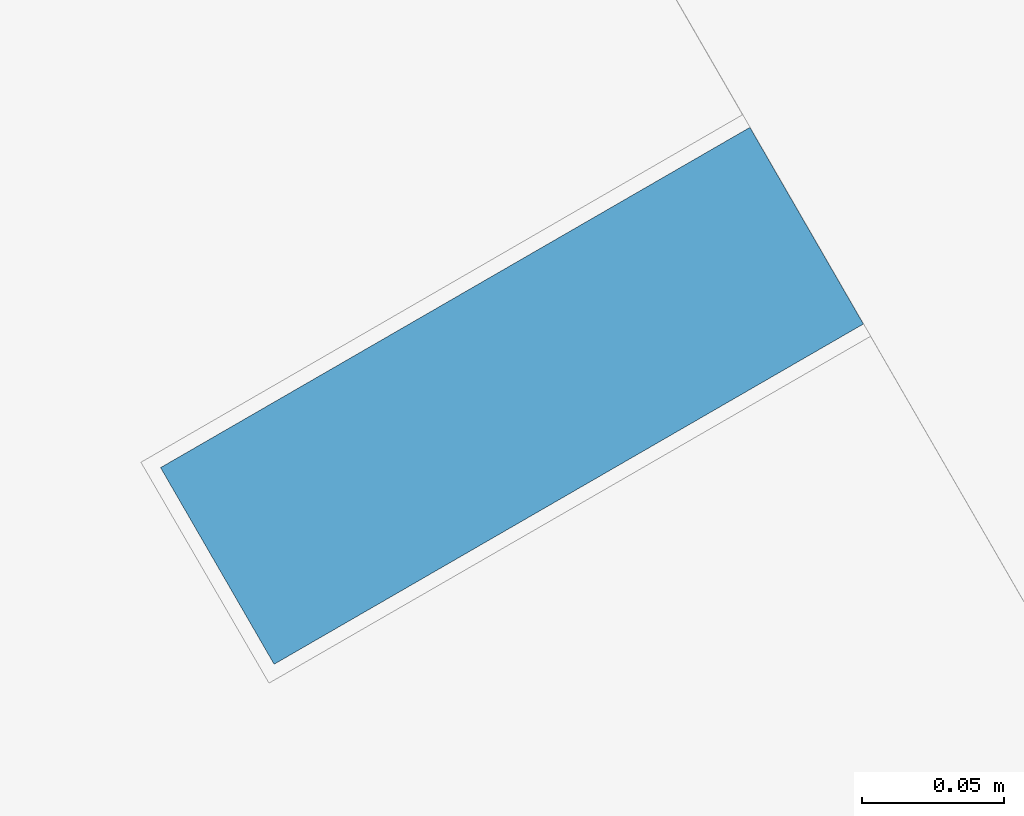
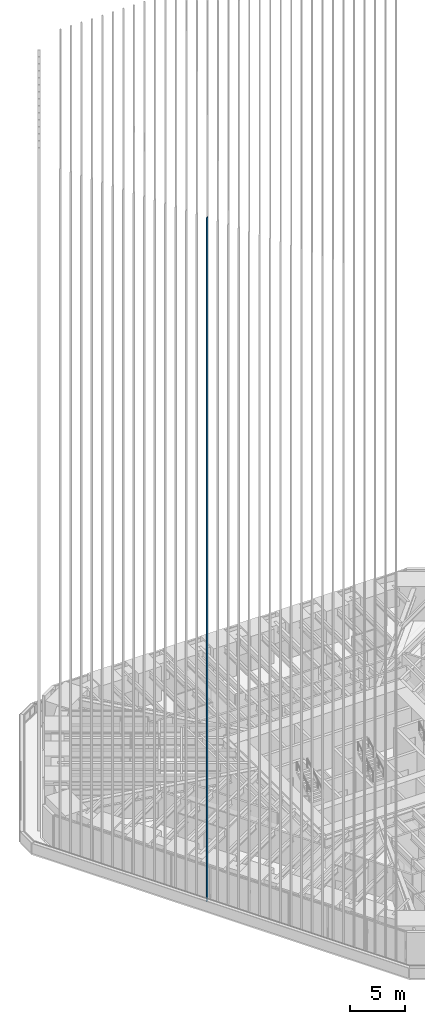
# One storey, part 39 of 238: 1 member, 1 element without a shape of its own.
"""IFC4 building model written with IfcOpenShell, lengths in metres."""

from ifc_helpers import new_model, si_unit, direction, frame, origin, origin_2d, place, context, subcontext, project, spatial, rectangle, extrude, material, material_profile, profile_set, type_object, element, aggregate, save


model = new_model("IFC4")

# Units and contexts
model_context = context("Model", 3, precision=1e-05, world=origin(), true_north=direction((0.0, 1.0)))
body_context = subcontext(model_context, "Body", "Model", "MODEL_VIEW")
ifc_project = project(units=[si_unit("LENGTHUNIT", "METRE"), si_unit("AREAUNIT", "SQUARE_METRE"), si_unit("VOLUMEUNIT", "CUBIC_METRE"), si_unit("PLANEANGLEUNIT", "RADIAN"), si_unit("MASSUNIT", "GRAM", prefix="KILO")], contexts=[model_context])

# Site, building, storey
site_placement = place(None, origin())
site = spatial("IfcSite", under=ifc_project, at=site_placement, CompositionType="ELEMENT")
building_placement = place(site_placement, origin())
building = spatial("IfcBuilding", under=site, at=building_placement, Name="Sandreach Pilgrim Tower", CompositionType="ELEMENT")
storey_placement = place(building_placement, frame((0.0, 0.0, 96.800048828125)))
storey = spatial("IfcBuildingStorey", under=building, at=storey_placement, Name="L23", CompositionType="ELEMENT", Elevation=96.800048828125)

# Curtain wall, member
ifc_material_1 = material(Name="Aluminium framed curtain wall", Category="aluminium")
curtain_wall_type = type_object("IfcCurtainWallType", Name="Hotel tower curtain wall", PredefinedType="NOTDEFINED", material=ifc_material_1)
curtain_wall_placement = place(storey_placement, origin())
curtain_wall = element("IfcCurtainWall", 1, at=curtain_wall_placement, inside=storey, type_object=curtain_wall_type, Name="CW-2 L23 SW", PredefinedType="NOTDEFINED")
ifc_material_2 = material(Name="Extruded terracotta on aluminium core", Category="masonry")
ifc_material_profile = material_profile(ifc_material_2, rectangle(XDim=0.080078125, YDim=0.239990234375, at=origin_2d()), Name="TBW 80X240")
ifc_profile_set = profile_set([ifc_material_profile], Name="Extruded terracotta on aluminium core")
member_type = type_object("IfcMemberType", Name="Terracotta baguette west", PredefinedType="USERDEFINED", material=ifc_profile_set)
member_placement = place(storey_placement, frame((-20.9453125, -9.54931640625, 0.0), z_axis=(0.0, 0.0, 1.0), x_axis=(-0.5, 0.866025403784, 0.0)))
member = element("IfcMember", 2, at=member_placement, type_object=member_type, Name="Baguette Z2 SW19", ObjectType="BAGUETTE", PredefinedType="USERDEFINED", context=body_context, shape_type="SweptSolid", body=[
    extrude(rectangle(XDim=0.080078125, YDim=0.239990234375, at=origin_2d()), origin(), (0.0, 0.0, 1.0), 75.83984375),
])
aggregate(curtain_wall, [member])

save(model, "model.ifc")
